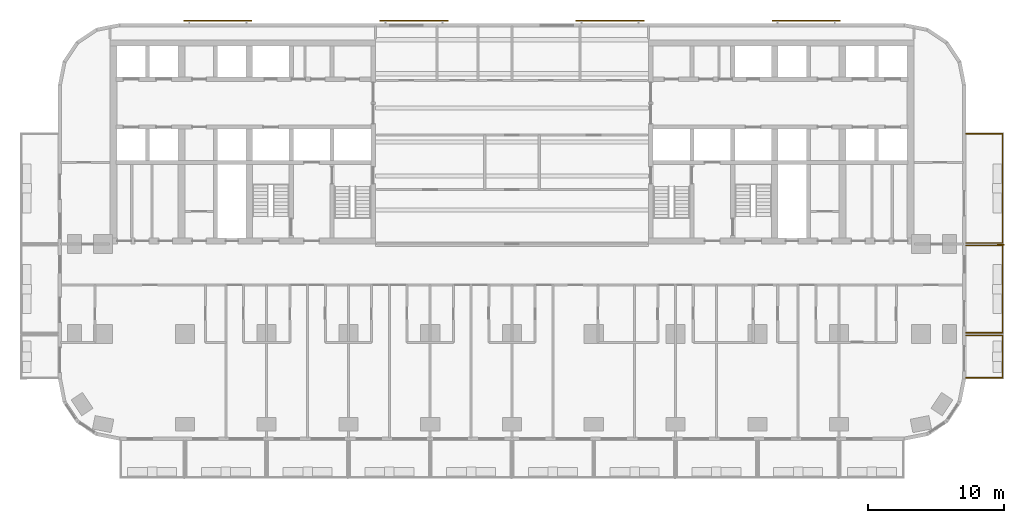
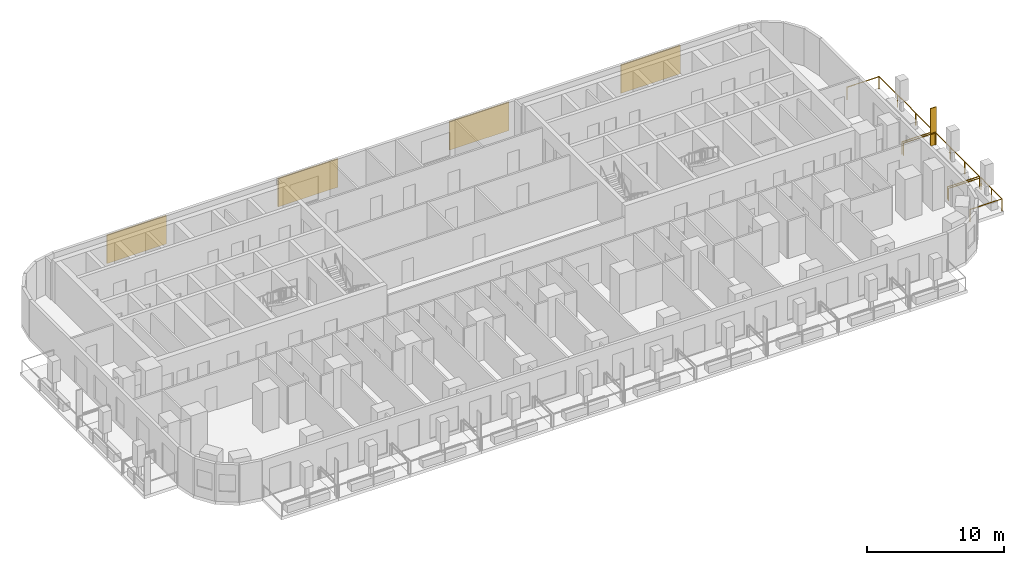
# One storey, part 14 of 15: 5 shading devices, 3 railings.
"""IFC4 building model written with IfcOpenShell, lengths in metres."""

from ifc_helpers import new_model, si_unit, direction, frame, origin, origin_2d, place, context, subcontext, project, spatial, rectangle, circle, extrude, material, layer, layer_set, type_object, element, save


model = new_model("IFC4")

# Units and contexts
model_context = context("Model", 3, precision=1e-05, world=origin(), true_north=direction((0.0, 1.0)))
body_context = subcontext(model_context, "Body", "Model", "MODEL_VIEW")
ifc_project = project(units=[si_unit("LENGTHUNIT", "METRE"), si_unit("AREAUNIT", "SQUARE_METRE"), si_unit("VOLUMEUNIT", "CUBIC_METRE"), si_unit("PLANEANGLEUNIT", "RADIAN"), si_unit("MASSUNIT", "GRAM", prefix="KILO")], contexts=[model_context])

# Site, building, storey
site_placement = place(None, origin())
site = spatial("IfcSite", under=ifc_project, at=site_placement, CompositionType="ELEMENT")
building_placement = place(site_placement, origin())
building = spatial("IfcBuilding", under=site, at=building_placement, Name="Torana Hotel and Residences", CompositionType="ELEMENT")
storey_placement = place(building_placement, frame((0.0, 0.0, 42.0)))
storey = spatial("IfcBuildingStorey", under=building, at=storey_placement, Name="L09", CompositionType="ELEMENT", Elevation=42.0)

# Shading device
ifc_material_1 = material(Name="Black powder coated aluminium", Category="aluminium")
ifc_layer_1 = layer(ifc_material_1, 0.080078125)
ifc_layer_set_1 = layer_set([ifc_layer_1], Name="FN1 VERTICAL FIN 500x80")
shading_device_type_1 = type_object("IfcShadingDeviceType", Name="FN1 VERTICAL FIN 500x80", PredefinedType="USERDEFINED", material=ifc_layer_set_1)
shading_device_placement = place(storey_placement, frame((35.85009765625, -15.0400390625, 0.0), z_axis=(0.0, 0.0, 1.0), x_axis=(0.0, -1.0, 0.0)))
element("IfcShadingDevice", 1, at=shading_device_placement, inside=storey, type_object=shading_device_type_1, Name="Fin 15", ObjectType="FIN", PredefinedType="USERDEFINED", context=body_context, shape_type="SweptSolid", body=[
    extrude(rectangle(XDim=0.080078125, YDim=0.5, at=origin_2d()), origin(), (0.0, 0.0, 1.0), 3.320068359375),
])

# Railings
ifc_material_2 = material(Name="Laminated glass balustrade with black handrail", Category="glass")
railing_type = type_object("IfcRailingType", Name="GR1 BALCONY GUARD 1100 GLASS", PredefinedType="GUARDRAIL", material=ifc_material_2)
railing_1_placement = place(storey_placement, frame((33.300048828125, -21.699951171875, 0.0)))
element("IfcRailing", 2, at=railing_1_placement, inside=storey, type_object=railing_type, Name="Balcony guard 14", PredefinedType="GUARDRAIL", context=body_context, shape_type="SweptSolid", body=[
    extrude(circle(Radius=0.02392578125, at=origin_2d()), frame((0.0, 0.0, 1.076171875), z_axis=(1.0, 0.0, 0.0), x_axis=(0.0, 1.0, 0.0)), (0.0, 0.0, 1.0), 2.699951171875),
    extrude(circle(Radius=0.02392578125, at=origin_2d()), frame((2.699951171875, 0.0, 1.076171875), z_axis=(0.0, -1.0, 0.0), x_axis=(1.0, 0.0, 0.0)), (0.0, 0.0, 1.0), 3.10009765625),
    extrude(circle(Radius=0.02392578125, at=origin_2d()), frame((2.699951171875, -3.10009765625, 1.076171875), z_axis=(-1.0, 0.0, 0.0), x_axis=(0.0, -1.0, 0.0)), (0.0, 0.0, 1.0), 2.699951171875),
    extrude(circle(Radius=0.02099609375, at=origin_2d()), origin(), (0.0, 0.0, 1.0), 1.052001953125),
    extrude(circle(Radius=0.02099609375, at=origin_2d()), frame((2.699951171875, 0.0, 0.0)), (0.0, 0.0, 1.0), 1.052001953125),
    extrude(circle(Radius=0.02099609375, at=origin_2d()), frame((2.699951171875, -1.550048828125, 0.0)), (0.0, 0.0, 1.0), 1.052001953125),
    extrude(circle(Radius=0.02099609375, at=origin_2d()), frame((2.699951171875, -3.10009765625, 0.0)), (0.0, 0.0, 1.0), 1.052001953125),
    extrude(circle(Radius=0.02099609375, at=origin_2d()), frame((0.0, -3.10009765625, 0.0)), (0.0, 0.0, 1.0), 1.052001953125),
])
railing_2_placement = place(storey_placement, frame((33.300048828125, -15.10009765625, 0.0)))
element("IfcRailing", 3, at=railing_2_placement, inside=storey, type_object=railing_type, Name="Balcony guard 15", PredefinedType="GUARDRAIL", context=body_context, shape_type="SweptSolid", body=[
    extrude(circle(Radius=0.02392578125, at=origin_2d()), frame((0.0, 0.0, 1.076171875), z_axis=(1.0, 0.0, 0.0), x_axis=(0.0, 1.0, 0.0)), (0.0, 0.0, 1.0), 2.699951171875),
    extrude(circle(Radius=0.02392578125, at=origin_2d()), frame((2.699951171875, 0.0, 1.076171875), z_axis=(0.0, -1.0, 0.0), x_axis=(1.0, 0.0, 0.0)), (0.0, 0.0, 1.0), 6.39990234375),
    extrude(circle(Radius=0.02392578125, at=origin_2d()), frame((2.699951171875, -6.39990234375, 1.076171875), z_axis=(-1.0, 0.0, 0.0), x_axis=(0.0, -1.0, 0.0)), (0.0, 0.0, 1.0), 2.699951171875),
    extrude(circle(Radius=0.02099609375, at=origin_2d()), origin(), (0.0, 0.0, 1.0), 1.052001953125),
    extrude(circle(Radius=0.02099609375, at=origin_2d()), frame((2.699951171875, 0.0, 0.0)), (0.0, 0.0, 1.0), 1.052001953125),
    extrude(circle(Radius=0.02099609375, at=origin_2d()), frame((2.699951171875, -2.13330078125, 0.0)), (0.0, 0.0, 1.0), 1.052001953125),
    extrude(circle(Radius=0.02099609375, at=origin_2d()), frame((2.699951171875, -4.2666015625, 0.0)), (0.0, 0.0, 1.0), 1.052001953125),
    extrude(circle(Radius=0.02099609375, at=origin_2d()), frame((2.699951171875, -6.39990234375, 0.0)), (0.0, 0.0, 1.0), 1.052001953125),
    extrude(circle(Radius=0.02099609375, at=origin_2d()), frame((0.0, -6.39990234375, 0.0)), (0.0, 0.0, 1.0), 1.052001953125),
])
railing_3_placement = place(storey_placement, frame((33.300048828125, -6.89990234375, 0.0)))
element("IfcRailing", 4, at=railing_3_placement, inside=storey, type_object=railing_type, Name="Balcony guard 16", PredefinedType="GUARDRAIL", context=body_context, shape_type="SweptSolid", body=[
    extrude(circle(Radius=0.02392578125, at=origin_2d()), frame((0.0, 0.0, 1.076171875), z_axis=(1.0, 0.0, 0.0), x_axis=(0.0, 1.0, 0.0)), (0.0, 0.0, 1.0), 2.699951171875),
    extrude(circle(Radius=0.02392578125, at=origin_2d()), frame((2.699951171875, 0.0, 1.076171875), z_axis=(0.0, -1.0, 0.0), x_axis=(1.0, 0.0, 0.0)), (0.0, 0.0, 1.0), 8.0),
    extrude(circle(Radius=0.02392578125, at=origin_2d()), frame((2.699951171875, -8.0, 1.076171875), z_axis=(-1.0, 0.0, 0.0), x_axis=(0.0, -1.0, 0.0)), (0.0, 0.0, 1.0), 2.699951171875),
    extrude(circle(Radius=0.02099609375, at=origin_2d()), origin(), (0.0, 0.0, 1.0), 1.052001953125),
    extrude(circle(Radius=0.02099609375, at=origin_2d()), frame((2.699951171875, 0.0, 0.0)), (0.0, 0.0, 1.0), 1.052001953125),
    extrude(circle(Radius=0.02099609375, at=origin_2d()), frame((2.699951171875, -2.666748046875, 0.0)), (0.0, 0.0, 1.0), 1.052001953125),
    extrude(circle(Radius=0.02099609375, at=origin_2d()), frame((2.699951171875, -5.333251953125, 0.0)), (0.0, 0.0, 1.0), 1.052001953125),
    extrude(circle(Radius=0.02099609375, at=origin_2d()), frame((2.699951171875, -8.0, 0.0)), (0.0, 0.0, 1.0), 1.052001953125),
    extrude(circle(Radius=0.02099609375, at=origin_2d()), frame((0.0, -8.0, 0.0)), (0.0, 0.0, 1.0), 1.052001953125),
])

# Shading devices
ifc_material_3 = material(Name="Concrete C40/50 precast", Category="concrete")
ifc_layer_2 = layer(ifc_material_3, 0.10009765625)
ifc_layer_set_2 = layer_set([ifc_layer_2], Name="SC1 PERFORATED BLOCK SCREEN PANEL 100")
shading_device_type_2 = type_object("IfcShadingDeviceType", Name="SC1 PERFORATED BLOCK SCREEN PANEL 100", PredefinedType="USERDEFINED", material=ifc_layer_set_2)
for number, where, z_axis, x_axis, name in (
    (5, (21.58154296875, 1.39990234375, 0.5), (0.0, 0.0, 1.0), (-1.0, 0.0, 0.0), "Perforated block screen L09"),
    (6, (7.19384765625, 1.39990234375, 0.5), (0.0, 0.0, 1.0), (-1.0, 0.0, 0.0), "Perforated block screen L09"),
    (7, (-7.19384765625, 1.39990234375, 0.5), (0.0, 0.0, 1.0), (-1.0, 0.0, 0.0), "Perforated block screen L09"),
    (8, (-21.58154296875, 1.39990234375, 0.5), (0.0, 0.0, 1.0), (-1.0, 0.0, 0.0), "Perforated block screen L09"),
):
    element("IfcShadingDevice", number, at=place(storey_placement, frame(where, z_axis=z_axis, x_axis=x_axis)), inside=storey, type_object=shading_device_type_2, Name=name, ObjectType="SCREEN", PredefinedType="USERDEFINED", context=body_context, shape_type="SweptSolid", body=[
        extrude(rectangle(XDim=5.0, YDim=0.10009765625, at=origin_2d()), origin(), (0.0, 0.0, 1.0), 2.52001953125),
    ])

save(model, "model.ifc")
